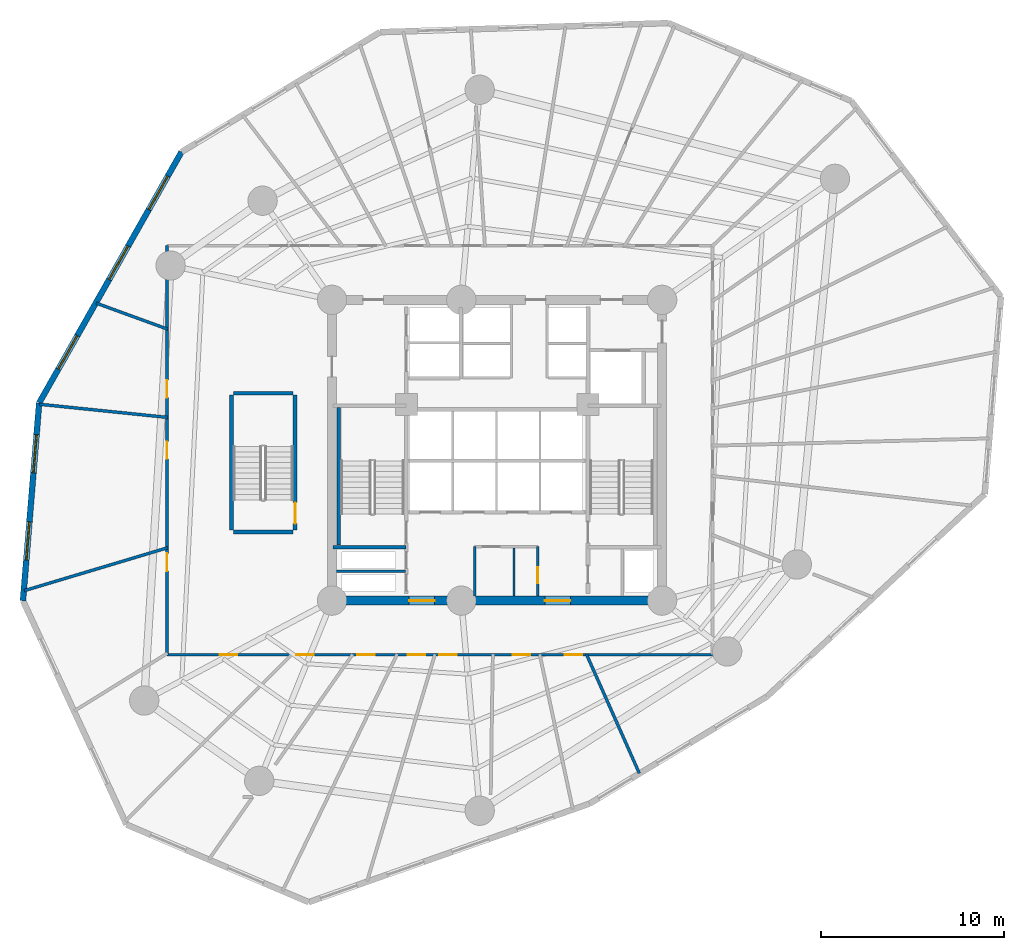
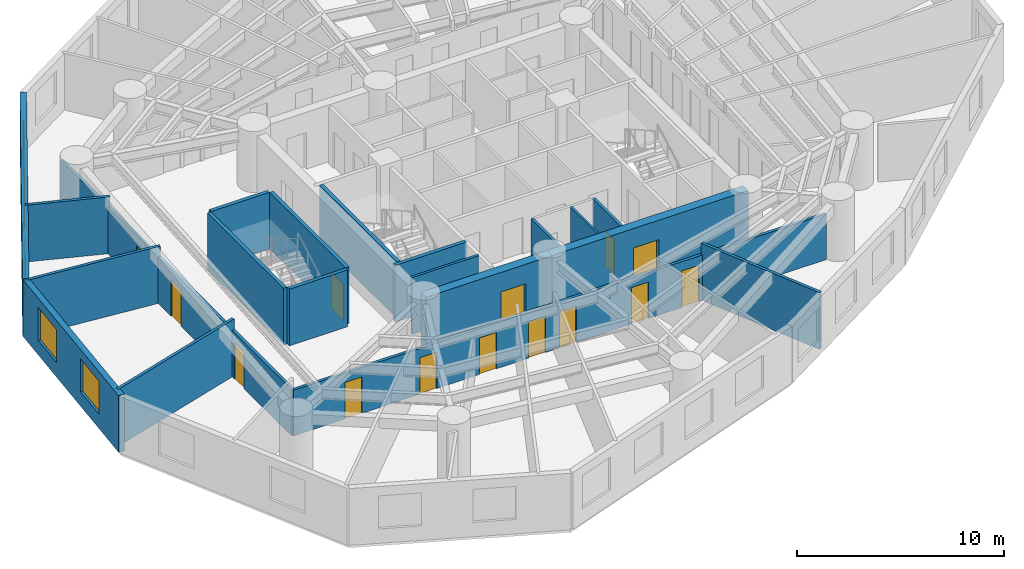
# One storey, part 3 of 8: 20 walls, 14 doors, 5 windows, 19 openings.
"""IFC4 building model written with IfcOpenShell, lengths in metres."""

from ifc_helpers import new_model, si_unit, direction, frame, frame_2d, origin, origin_with_axes, place, context, subcontext, project, spatial, rectangle, extrude, source, transform, mapped, material, layer, layer_set, type_object, element, fill, save


model = new_model("IFC4")

# Units and contexts
model_context = context("Model", 3, precision=1e-05, world=origin(), true_north=direction((0.0, 1.0)))
body_context = subcontext(model_context, "Body", "Model", "MODEL_VIEW")
ifc_project = project(units=[si_unit("LENGTHUNIT", "METRE"), si_unit("AREAUNIT", "SQUARE_METRE"), si_unit("VOLUMEUNIT", "CUBIC_METRE"), si_unit("PLANEANGLEUNIT", "RADIAN"), si_unit("MASSUNIT", "GRAM", prefix="KILO")], contexts=[model_context])

# Site, building, storey
site_placement = place(None, origin())
site = spatial("IfcSite", under=ifc_project, at=site_placement, CompositionType="ELEMENT")
building_placement = place(site_placement, origin())
building = spatial("IfcBuilding", under=site, at=building_placement, Name="Karkom Vertical University and Central Library", CompositionType="ELEMENT")
storey_placement = place(building_placement, frame((0.0, 0.0, 33.699951171875)))
storey = spatial("IfcBuildingStorey", under=building, at=storey_placement, Name="L08", CompositionType="ELEMENT", Elevation=33.699951171875)

# Wall, openings, windows
ifc_material_1 = material(Name="Brick-faced precast concrete C45/55", Category="masonry")
ifc_layer_1 = layer(ifc_material_1, 0.320068359375)
ifc_layer_set_1 = layer_set([ifc_layer_1], Name="Brick-faced precast concrete C45/55")
wall_type_1 = type_object("IfcWallType", Name="ENV-WL-BRK-320", PredefinedType="SOLIDWALL", material=ifc_layer_set_1)
wall_1_placement = place(storey_placement, frame((11.29248046875, 42.771240234375, 0.0), z_axis=(0.0, 0.0, 1.0), x_axis=(-0.493295954428, -0.869861541479, 0.0)))
wall_1 = element("IfcWall", 1, at=wall_1_placement, inside=storey, type_object=wall_type_1, Name="Level 08 Brick-Faced Precast Facade Wall 02", PredefinedType="SOLIDWALL", context=body_context, shape_type="SweptSolid", body=[
    extrude(rectangle(XDim=15.736328125, YDim=0.320068359375, at=frame_2d((7.8681640625, 0.0))), origin(), (0.0, 0.0, 1.0), 3.35009765625),
])
opening_1_placement = place(wall_1_placement, frame((1.521484375, 0.0, 0.85009765625)))
opening_1 = element("IfcOpeningElement", 2, at=opening_1_placement, cuts=wall_1, Name="Opening WN-03", PredefinedType="OPENING", context=body_context, shape_type="SweptSolid", body=[
    extrude(rectangle(XDim=2.10009765625, YDim=1.949951171875, at=frame_2d((1.050048828125, 0.97509765625))), frame((0.0, 0.169921875, 0.0), z_axis=(0.0, -1.0, 0.0), x_axis=(1.0, 0.0, 0.0)), (0.0, 0.0, 1.0), 0.340087890625),
])
opening_2_placement = place(wall_1_placement, frame((5.904541015625, 0.0, 0.85009765625)))
opening_2 = element("IfcOpeningElement", 3, at=opening_2_placement, cuts=wall_1, Name="Opening WN-03", PredefinedType="OPENING", context=body_context, shape_type="SweptSolid", body=[
    extrude(rectangle(XDim=2.10009765625, YDim=1.949951171875, at=frame_2d((1.050048828125, 0.97509765625))), frame((0.0, 0.169921875, 0.0), z_axis=(0.0, -1.0, 0.0), x_axis=(1.0, 0.0, 0.0)), (0.0, 0.0, 1.0), 0.340087890625),
])
opening_3_placement = place(wall_1_placement, frame((11.521240234375, 0.0, 0.85009765625)))
opening_3 = element("IfcOpeningElement", 4, at=opening_3_placement, cuts=wall_1, Name="Opening WN-03", PredefinedType="OPENING", context=body_context, shape_type="SweptSolid", body=[
    extrude(rectangle(XDim=2.10009765625, YDim=1.949951171875, at=frame_2d((1.050048828125, 0.97509765625))), frame((0.0, 0.169921875, 0.0), z_axis=(0.0, -1.0, 0.0), x_axis=(1.0, 0.0, 0.0)), (0.0, 0.0, 1.0), 0.340087890625),
])
ifc_material_2 = material(Name="Aluminium thermal-break frame with solar-control IGU", Category="aluminium")
window_type = type_object("IfcWindowType", Name="ENV-WIN-WN-03", PartitioningType="SINGLE_PANEL", PredefinedType="WINDOW", material=ifc_material_2)
shared_shape_1 = source(origin_with_axes(), body_context, "Body", "SweptSolid", [
    extrude(rectangle(XDim=2.10009765625, YDim=1.949951171875, at=frame_2d((1.050048828125, 0.97509765625))), frame((0.0, 0.030029296875, 0.0), z_axis=(0.0, -1.0, 0.0), x_axis=(1.0, 0.0, 0.0)), (0.0, 0.0, 1.0), 0.06005859375),
])
window_1_placement = place(opening_1_placement, origin())
window_1 = element("IfcWindow", 5, at=window_1_placement, inside=storey, type_object=window_type, Name="Level 08 Punched Window 2.1", OverallHeight=1.949951171875, OverallWidth=2.10009765625, PartitioningType="SINGLE_PANEL", PredefinedType="WINDOW", context=body_context, shape_type="MappedRepresentation", body=[
    mapped(shared_shape_1, transform((0.0, 0.0, 0.0), scale=1.0)),
])
fill(opening_1, window_1)
window_2_placement = place(opening_2_placement, origin())
window_2 = element("IfcWindow", 6, at=window_2_placement, inside=storey, type_object=window_type, Name="Level 08 Punched Window 2.2", OverallHeight=1.949951171875, OverallWidth=2.10009765625, PartitioningType="SINGLE_PANEL", PredefinedType="WINDOW", context=body_context, shape_type="MappedRepresentation", body=[
    mapped(shared_shape_1, transform((0.0, 0.0, 0.0), scale=1.0)),
])
fill(opening_2, window_2)
window_3_placement = place(opening_3_placement, origin())
window_3 = element("IfcWindow", 7, at=window_3_placement, inside=storey, type_object=window_type, Name="Level 08 Punched Window 2.3", OverallHeight=1.949951171875, OverallWidth=2.10009765625, PartitioningType="SINGLE_PANEL", PredefinedType="WINDOW", context=body_context, shape_type="MappedRepresentation", body=[
    mapped(shared_shape_1, transform((0.0, 0.0, 0.0), scale=1.0)),
])
fill(opening_3, window_3)

wall_2_placement = place(storey_placement, frame((3.52978515625, 29.082763671875, 0.0), z_axis=(0.0, 0.0, 1.0), x_axis=(-0.0816572616, -0.996660469582, 0.0)))
wall_2 = element("IfcWall", 8, at=wall_2_placement, inside=storey, type_object=wall_type_1, Name="Level 08 Brick-Faced Precast Facade Wall 03", PredefinedType="SOLIDWALL", context=body_context, shape_type="SweptSolid", body=[
    extrude(rectangle(XDim=10.8291015625, YDim=0.320068359375, at=frame_2d((5.41455078125, 0.0))), origin(), (0.0, 0.0, 1.0), 3.35009765625),
])
opening_4_placement = place(wall_2_placement, frame((1.72998046875, 0.0, 0.85009765625)))
opening_4 = element("IfcOpeningElement", 9, at=opening_4_placement, cuts=wall_2, Name="Opening WN-03", PredefinedType="OPENING", context=body_context, shape_type="SweptSolid", body=[
    extrude(rectangle(XDim=2.10009765625, YDim=1.949951171875, at=frame_2d((1.050048828125, 0.97509765625))), frame((0.0, 0.169921875, 0.0), z_axis=(0.0, -1.0, 0.0), x_axis=(1.0, 0.0, 0.0)), (0.0, 0.0, 1.0), 0.340087890625),
])
opening_5_placement = place(wall_2_placement, frame((6.503173828125, 0.0, 0.85009765625)))
opening_5 = element("IfcOpeningElement", 10, at=opening_5_placement, cuts=wall_2, Name="Opening WN-03", PredefinedType="OPENING", context=body_context, shape_type="SweptSolid", body=[
    extrude(rectangle(XDim=2.10009765625, YDim=1.949951171875, at=frame_2d((1.050048828125, 0.97509765625))), frame((0.0, 0.169921875, 0.0), z_axis=(0.0, -1.0, 0.0), x_axis=(1.0, 0.0, 0.0)), (0.0, 0.0, 1.0), 0.340087890625),
])
window_4_placement = place(opening_4_placement, origin())
window_4 = element("IfcWindow", 11, at=window_4_placement, inside=storey, type_object=window_type, Name="Level 08 Punched Window 3.1", OverallHeight=1.949951171875, OverallWidth=2.10009765625, PartitioningType="SINGLE_PANEL", PredefinedType="WINDOW", context=body_context, shape_type="MappedRepresentation", body=[
    mapped(shared_shape_1, transform((0.0, 0.0, 0.0), scale=1.0)),
])
fill(opening_4, window_4)
window_5_placement = place(opening_5_placement, origin())
window_5 = element("IfcWindow", 12, at=window_5_placement, inside=storey, type_object=window_type, Name="Level 08 Punched Window 3.2", OverallHeight=1.949951171875, OverallWidth=2.10009765625, PartitioningType="SINGLE_PANEL", PredefinedType="WINDOW", context=body_context, shape_type="MappedRepresentation", body=[
    mapped(shared_shape_1, transform((0.0, 0.0, 0.0), scale=1.0)),
])
fill(opening_5, window_5)

# Wall, openings, doors
ifc_material_3 = material(Name="Insulated metal-stud drywall 160mm", Category="gypsum")
ifc_layer_2 = layer(ifc_material_3, 0.159912109375)
ifc_layer_set_2 = layer_set([ifc_layer_2], Name="Insulated metal-stud drywall 160mm")
wall_type_2 = type_object("IfcWallType", Name="INT-WL-COR-160", PredefinedType="PARTITIONING", material=ifc_layer_set_2)
wall_3_placement = place(storey_placement, frame((40.25, 15.35009765625, 0.0), z_axis=(0.0, 0.0, 1.0), x_axis=(-1.0, 0.0, 0.0)))
wall_3 = element("IfcWall", 13, at=wall_3_placement, inside=storey, type_object=wall_type_2, Name="Level 08 Interior Partition Wall Level 08-CORW-CW-001", PredefinedType="PARTITIONING", context=body_context, shape_type="SweptSolid", body=[
    extrude(rectangle(XDim=29.75, YDim=0.159912109375, at=frame_2d((14.875, 0.0))), origin(), (0.0, 0.0, 1.0), 2.699951171875),
])
opening_6_placement = place(wall_3_placement, frame((25.92529296875, 0.0, 0.0)))
opening_6 = element("IfcOpeningElement", 14, at=opening_6_placement, cuts=wall_3, Name="Opening D-RM1", PredefinedType="OPENING", context=body_context, shape_type="SweptSolid", body=[
    extrude(rectangle(XDim=0.949951171875, YDim=2.14990234375, at=frame_2d((0.47509765625, 1.074951171875))), frame((0.0, 0.08984375, 0.0), z_axis=(0.0, -1.0, 0.0), x_axis=(1.0, 0.0, 0.0)), (0.0, 0.0, 1.0), 0.179931640625),
])
opening_7_placement = place(wall_3_placement, frame((21.74755859375, 0.0, 0.0)))
opening_7 = element("IfcOpeningElement", 15, at=opening_7_placement, cuts=wall_3, Name="Opening D-RM1", PredefinedType="OPENING", context=body_context, shape_type="SweptSolid", body=[
    extrude(rectangle(XDim=0.949951171875, YDim=2.14990234375, at=frame_2d((0.47509765625, 1.074951171875))), frame((0.0, 0.08984375, 0.0), z_axis=(0.0, -1.0, 0.0), x_axis=(1.0, 0.0, 0.0)), (0.0, 0.0, 1.0), 0.179931640625),
])
opening_8_placement = place(wall_3_placement, frame((18.422607421875, 0.0, 0.0)))
opening_8 = element("IfcOpeningElement", 16, at=opening_8_placement, cuts=wall_3, Name="Opening D-RM1", PredefinedType="OPENING", context=body_context, shape_type="SweptSolid", body=[
    extrude(rectangle(XDim=0.949951171875, YDim=2.14990234375, at=frame_2d((0.47509765625, 1.074951171875))), frame((0.0, 0.08984375, 0.0), z_axis=(0.0, -1.0, 0.0), x_axis=(1.0, 0.0, 0.0)), (0.0, 0.0, 1.0), 0.179931640625),
])
opening_9_placement = place(wall_3_placement, frame((15.67041015625, 0.0, 0.0)))
opening_9 = element("IfcOpeningElement", 17, at=opening_9_placement, cuts=wall_3, Name="Opening D-RM1", PredefinedType="OPENING", context=body_context, shape_type="SweptSolid", body=[
    extrude(rectangle(XDim=0.949951171875, YDim=2.14990234375, at=frame_2d((0.47509765625, 1.074951171875))), frame((0.0, 0.08984375, 0.0), z_axis=(0.0, -1.0, 0.0), x_axis=(1.0, 0.0, 0.0)), (0.0, 0.0, 1.0), 0.179931640625),
])
opening_10_placement = place(wall_3_placement, frame((13.9599609375, 0.0, 0.0)))
opening_10 = element("IfcOpeningElement", 18, at=opening_10_placement, cuts=wall_3, Name="Opening D-RM1", PredefinedType="OPENING", context=body_context, shape_type="SweptSolid", body=[
    extrude(rectangle(XDim=0.949951171875, YDim=2.14990234375, at=frame_2d((0.47509765625, 1.074951171875))), frame((0.0, 0.08984375, 0.0), z_axis=(0.0, -1.0, 0.0), x_axis=(1.0, 0.0, 0.0)), (0.0, 0.0, 1.0), 0.179931640625),
])
opening_11_placement = place(wall_3_placement, frame((9.9375, 0.0, 0.0)))
opening_11 = element("IfcOpeningElement", 19, at=opening_11_placement, cuts=wall_3, Name="Opening D-RM1", PredefinedType="OPENING", context=body_context, shape_type="SweptSolid", body=[
    extrude(rectangle(XDim=0.949951171875, YDim=2.14990234375, at=frame_2d((0.47509765625, 1.074951171875))), frame((0.0, 0.08984375, 0.0), z_axis=(0.0, -1.0, 0.0), x_axis=(1.0, 0.0, 0.0)), (0.0, 0.0, 1.0), 0.179931640625),
])
opening_12_placement = place(wall_3_placement, frame((7.1025390625, 0.0, 0.0)))
opening_12 = element("IfcOpeningElement", 20, at=opening_12_placement, cuts=wall_3, Name="Opening D-RM1", PredefinedType="OPENING", context=body_context, shape_type="SweptSolid", body=[
    extrude(rectangle(XDim=0.949951171875, YDim=2.14990234375, at=frame_2d((0.47509765625, 1.074951171875))), frame((0.0, 0.08984375, 0.0), z_axis=(0.0, -1.0, 0.0), x_axis=(1.0, 0.0, 0.0)), (0.0, 0.0, 1.0), 0.179931640625),
])
ifc_material_4 = material(Name="Solid-core oak veneer door", Category="wood")
door_type_1 = type_object("IfcDoorType", Name="INT-DR-RM1", OperationType="NOTDEFINED", PredefinedType="DOOR", material=ifc_material_4)
shared_shape_2 = source(origin_with_axes(), body_context, "Body", "SweptSolid", [
    extrude(rectangle(XDim=0.949951171875, YDim=2.14990234375, at=frame_2d((0.47509765625, 1.074951171875))), frame((0.0, 0.02490234375, 0.0), z_axis=(0.0, -1.0, 0.0), x_axis=(1.0, 0.0, 0.0)), (0.0, 0.0, 1.0), 0.050048828125),
])
door_1_placement = place(opening_6_placement, origin())
door_1 = element("IfcDoor", 21, at=door_1_placement, inside=storey, type_object=door_type_1, Name="Level 08 Room Entry Door 020", OperationType="SINGLE_SWING_RIGHT", OverallHeight=2.14990234375, OverallWidth=0.949951171875, PredefinedType="DOOR", context=body_context, shape_type="MappedRepresentation", body=[
    mapped(shared_shape_2, transform((0.0, 0.0, 0.0), scale=1.0)),
])
fill(opening_6, door_1)
door_2_placement = place(opening_7_placement, origin())
door_2 = element("IfcDoor", 22, at=door_2_placement, inside=storey, type_object=door_type_1, Name="Level 08 Room Entry Door 030", OperationType="SINGLE_SWING_LEFT", OverallHeight=2.14990234375, OverallWidth=0.949951171875, PredefinedType="DOOR", context=body_context, shape_type="MappedRepresentation", body=[
    mapped(shared_shape_2, transform((0.0, 0.0, 0.0), scale=1.0)),
])
fill(opening_7, door_2)
door_3_placement = place(opening_8_placement, origin())
door_3 = element("IfcDoor", 23, at=door_3_placement, inside=storey, type_object=door_type_1, Name="Level 08 Room Entry Door 040", OperationType="SINGLE_SWING_RIGHT", OverallHeight=2.14990234375, OverallWidth=0.949951171875, PredefinedType="DOOR", context=body_context, shape_type="MappedRepresentation", body=[
    mapped(shared_shape_2, transform((0.0, 0.0, 0.0), scale=1.0)),
])
fill(opening_8, door_3)
door_4_placement = place(opening_9_placement, origin())
door_4 = element("IfcDoor", 24, at=door_4_placement, inside=storey, type_object=door_type_1, Name="Level 08 Room Entry Door 050", OperationType="SINGLE_SWING_LEFT", OverallHeight=2.14990234375, OverallWidth=0.949951171875, PredefinedType="DOOR", context=body_context, shape_type="MappedRepresentation", body=[
    mapped(shared_shape_2, transform((0.0, 0.0, 0.0), scale=1.0)),
])
fill(opening_9, door_4)
door_5_placement = place(opening_10_placement, origin())
door_5 = element("IfcDoor", 25, at=door_5_placement, inside=storey, type_object=door_type_1, Name="Level 08 Room Entry Door 060", OperationType="SINGLE_SWING_RIGHT", OverallHeight=2.14990234375, OverallWidth=0.949951171875, PredefinedType="DOOR", context=body_context, shape_type="MappedRepresentation", body=[
    mapped(shared_shape_2, transform((0.0, 0.0, 0.0), scale=1.0)),
])
fill(opening_10, door_5)
door_6_placement = place(opening_11_placement, origin())
door_6 = element("IfcDoor", 26, at=door_6_placement, inside=storey, type_object=door_type_1, Name="Level 08 Room Entry Door 070", OperationType="SINGLE_SWING_LEFT", OverallHeight=2.14990234375, OverallWidth=0.949951171875, PredefinedType="DOOR", context=body_context, shape_type="MappedRepresentation", body=[
    mapped(shared_shape_2, transform((0.0, 0.0, 0.0), scale=1.0)),
])
fill(opening_11, door_6)
door_7_placement = place(opening_12_placement, origin())
door_7 = element("IfcDoor", 27, at=door_7_placement, inside=storey, type_object=door_type_1, Name="Level 08 Room Entry Door 080", OperationType="SINGLE_SWING_RIGHT", OverallHeight=2.14990234375, OverallWidth=0.949951171875, PredefinedType="DOOR", context=body_context, shape_type="MappedRepresentation", body=[
    mapped(shared_shape_2, transform((0.0, 0.0, 0.0), scale=1.0)),
])
fill(opening_12, door_7)

wall_4_placement = place(storey_placement, frame((10.5, 15.35009765625, 0.0), z_axis=(0.0, 0.0, 1.0), x_axis=(0.0, 1.0, 0.0)))
wall_4 = element("IfcWall", 28, at=wall_4_placement, inside=storey, type_object=wall_type_2, Name="Level 08 Interior Partition Wall Level 08-CORW-CW-002", PredefinedType="PARTITIONING", context=body_context, shape_type="SweptSolid", body=[
    extrude(rectangle(XDim=22.2998046875, YDim=0.159912109375, at=frame_2d((11.14990234375, 0.0))), origin(), (0.0, 0.0, 1.0), 2.75),
])
opening_13_placement = place(wall_4_placement, frame((10.675048828125, 0.0, 0.0)))
opening_13 = element("IfcOpeningElement", 29, at=opening_13_placement, cuts=wall_4, Name="Opening D-RM1", PredefinedType="OPENING", context=body_context, shape_type="SweptSolid", body=[
    extrude(rectangle(XDim=0.949951171875, YDim=2.14990234375, at=frame_2d((0.47509765625, 1.074951171875))), frame((0.0, 0.08984375, 0.0), z_axis=(0.0, -1.0, 0.0), x_axis=(1.0, 0.0, 0.0)), (0.0, 0.0, 1.0), 0.179931640625),
])
opening_14_placement = place(wall_4_placement, frame((4.56005859375, 0.0, 0.0)))
opening_14 = element("IfcOpeningElement", 30, at=opening_14_placement, cuts=wall_4, Name="Opening FD-RM2", PredefinedType="OPENING", context=body_context, shape_type="SweptSolid", body=[
    extrude(rectangle(XDim=0.9599609375, YDim=2.14990234375, at=frame_2d((0.47998046875, 1.074951171875))), frame((0.0, 0.08984375, 0.0), z_axis=(0.0, -1.0, 0.0), x_axis=(1.0, 0.0, 0.0)), (0.0, 0.0, 1.0), 0.179931640625),
])
opening_15_placement = place(wall_4_placement, frame((14.02001953125, 0.0, 0.0)))
opening_15 = element("IfcOpeningElement", 31, at=opening_15_placement, cuts=wall_4, Name="Opening D-RM1", PredefinedType="OPENING", context=body_context, shape_type="SweptSolid", body=[
    extrude(rectangle(XDim=0.949951171875, YDim=2.14990234375, at=frame_2d((0.47509765625, 1.074951171875))), frame((0.0, 0.08984375, 0.0), z_axis=(0.0, -1.0, 0.0), x_axis=(1.0, 0.0, 0.0)), (0.0, 0.0, 1.0), 0.179931640625),
])
ifc_material_5 = material(Name="Fire-rated oak veneer door", Category="wood")
door_type_2 = type_object("IfcDoorType", Name="INT-DR-FRM2", OperationType="NOTDEFINED", PredefinedType="DOOR", material=ifc_material_5)
shared_shape_3 = source(origin_with_axes(), body_context, "Body", "SweptSolid", [
    extrude(rectangle(XDim=0.9599609375, YDim=2.14990234375, at=frame_2d((0.47998046875, 1.074951171875))), frame((0.0, 0.02490234375, 0.0), z_axis=(0.0, -1.0, 0.0), x_axis=(1.0, 0.0, 0.0)), (0.0, 0.0, 1.0), 0.050048828125),
])
door_8_placement = place(opening_14_placement, origin())
door_8 = element("IfcDoor", 32, at=door_8_placement, inside=storey, type_object=door_type_2, Name="Level 08 Room Entry Door 010", OperationType="SINGLE_SWING_LEFT", OverallHeight=2.14990234375, OverallWidth=0.9599609375, PredefinedType="DOOR", context=body_context, shape_type="MappedRepresentation", body=[
    mapped(shared_shape_3, transform((0.0, 0.0, 0.0), scale=1.0)),
])
fill(opening_14, door_8)
door_9_placement = place(opening_13_placement, origin())
door_9 = element("IfcDoor", 33, at=door_9_placement, inside=storey, type_object=door_type_1, Name="Level 08 Room Entry Door 000", OperationType="SINGLE_SWING_RIGHT", OverallHeight=2.14990234375, OverallWidth=0.949951171875, PredefinedType="DOOR", context=body_context, shape_type="MappedRepresentation", body=[
    mapped(shared_shape_2, transform((0.0, 0.0, 0.0), scale=1.0)),
])
fill(opening_13, door_9)
door_10_placement = place(opening_15_placement, origin())
door_10 = element("IfcDoor", 34, at=door_10_placement, inside=storey, type_object=door_type_1, Name="Level 08 Room Entry Door 280", OperationType="SINGLE_SWING_RIGHT", OverallHeight=2.14990234375, OverallWidth=0.949951171875, PredefinedType="DOOR", context=body_context, shape_type="MappedRepresentation", body=[
    mapped(shared_shape_2, transform((0.0, 0.0, 0.0), scale=1.0)),
])
fill(opening_15, door_10)

# Walls
wall_5_placement = place(storey_placement, frame((10.543212890625, 21.18505859375, 0.0), z_axis=(0.0, 0.0, 1.0), x_axis=(-0.957965231721, -0.286884323053, 0.0)))
element("IfcWall", 35, at=wall_5_placement, inside=storey, type_object=wall_type_2, Name="Level 08 Interior Partition Wall Level 08-PW-001", PredefinedType="PARTITIONING", context=body_context, shape_type="SweptSolid", body=[
    extrude(rectangle(XDim=8.166259765625, YDim=0.159912109375, at=frame_2d((4.0830078125, 0.0))), origin(), (0.0, 0.0, 1.0), 3.35009765625),
])
wall_6_placement = place(storey_placement, frame((33.37255859375, 15.37744140625, 0.0), z_axis=(0.0, 0.0, 1.0), x_axis=(0.40578429947, -0.913968873816, 0.0)))
element("IfcWall", 36, at=wall_6_placement, inside=storey, type_object=wall_type_2, Name="Level 08 Interior Partition Wall Level 08-PW-012", PredefinedType="PARTITIONING", context=body_context, shape_type="SweptSolid", body=[
    extrude(rectangle(XDim=7.10009765625, YDim=0.159912109375, at=frame_2d((3.550048828125, 0.0))), origin(), (0.0, 0.0, 1.0), 3.35009765625),
])
wall_7_placement = place(storey_placement, frame((3.548828125, 29.00830078125, 0.0), z_axis=(0.0, 0.0, 1.0), x_axis=(0.994742882888, -0.102404086562, 0.0)))
element("IfcWall", 37, at=wall_7_placement, inside=storey, type_object=wall_type_2, Name="Level 08 Interior Partition Wall Level 08-PW-002", PredefinedType="PARTITIONING", context=body_context, shape_type="SweptSolid", body=[
    extrude(rectangle(XDim=7.032958984375, YDim=0.159912109375, at=frame_2d((3.5166015625, 0.0))), origin(), (0.0, 0.0, 1.0), 3.35009765625),
])
wall_8_placement = place(storey_placement, frame((10.542236328125, 33.10009765625, 0.0), z_axis=(0.0, 0.0, 1.0), x_axis=(-0.939705790412, 0.341983957908, 0.0)))
element("IfcWall", 38, at=wall_8_placement, inside=storey, type_object=wall_type_2, Name="Level 08 Interior Partition Wall Level 08-PW-033", PredefinedType="PARTITIONING", context=body_context, shape_type="SweptSolid", body=[
    extrude(rectangle(XDim=4.14990234375, YDim=0.159912109375, at=frame_2d((2.074951171875, 0.0))), origin(), (0.0, 0.0, 1.0), 3.35009765625),
])
ifc_material_6 = material(Name="Moisture-resistant drywall 120mm", Category="gypsum")
ifc_layer_3 = layer(ifc_material_6, 0.1201171875)
ifc_layer_set_3 = layer_set([ifc_layer_3], Name="Moisture-resistant drywall 120mm")
wall_type_3 = type_object("IfcWallType", Name="INT-WL-INT-120", PredefinedType="PARTITIONING", material=ifc_layer_set_3)
wall_9_placement = place(storey_placement, frame((29.419921875, 18.556884765625, 0.0), z_axis=(0.0, 0.0, 1.0), x_axis=(0.0, 1.0, 0.0)))
element("IfcWall", 39, at=wall_9_placement, inside=storey, type_object=wall_type_3, Name="Level 08 Interior Partition Wall Level 08-CW-K3-DIV", PredefinedType="PARTITIONING", context=body_context, shape_type="SweptSolid", body=[
    extrude(rectangle(XDim=2.611083984375, YDim=0.1201171875, at=frame_2d((1.3056640625, 0.0))), origin(), (0.0, 0.0, 1.0), 3.35009765625),
])
ifc_material_7 = material(Name="Metal-stud gypsum partition 140mm", Category="gypsum")
ifc_layer_4 = layer(ifc_material_7, 0.139892578125)
ifc_layer_set_4 = layer_set([ifc_layer_4], Name="Metal-stud gypsum partition 140mm")
wall_type_4 = type_object("IfcWallType", Name="INT-WL-SUB-140", PredefinedType="PARTITIONING", material=ifc_layer_set_4)
wall_10_placement = place(storey_placement, frame((27.280029296875, 18.550048828125, 0.0), z_axis=(0.0, 0.0, 1.0), x_axis=(0.0, 1.0, 0.0)))
element("IfcWall", 40, at=wall_10_placement, inside=storey, type_object=wall_type_4, Name="Level 08 Interior Partition Wall Level 08-CW-KBAY-W", PredefinedType="PARTITIONING", context=body_context, shape_type="SweptSolid", body=[
    extrude(rectangle(XDim=2.68994140625, YDim=0.139892578125, at=frame_2d((1.344970703125, 0.0))), origin(), (0.0, 0.0, 1.0), 3.35009765625),
])

# Wall, opening, door
wall_11_placement = place(storey_placement, frame((30.719970703125, 18.550048828125, 0.0), z_axis=(0.0, 0.0, 1.0), x_axis=(0.0, 1.0, 0.0)))
wall_11 = element("IfcWall", 41, at=wall_11_placement, inside=storey, type_object=wall_type_4, Name="Level 08 Interior Partition Wall Level 08-CW-KBAY-E", PredefinedType="PARTITIONING", context=body_context, shape_type="SweptSolid", body=[
    extrude(rectangle(XDim=2.68994140625, YDim=0.139892578125, at=frame_2d((1.344970703125, 0.0))), origin(), (0.0, 0.0, 1.0), 3.35009765625),
])
opening_16_placement = place(wall_11_placement, frame((0.699951171875, 0.0, 0.0)))
opening_16 = element("IfcOpeningElement", 42, at=opening_16_placement, cuts=wall_11, Name="Opening D-BATH", PredefinedType="OPENING", context=body_context, shape_type="SweptSolid", body=[
    extrude(rectangle(XDim=0.860107421875, YDim=2.10009765625, at=frame_2d((0.43017578125, 1.050048828125))), frame((0.0, 0.080078125, 0.0), z_axis=(0.0, -1.0, 0.0), x_axis=(1.0, 0.0, 0.0)), (0.0, 0.0, 1.0), 0.159912109375),
])
ifc_material_8 = material(Name="Moisture-resistant oak door", Category="wood")
door_type_3 = type_object("IfcDoorType", Name="INT-DR-BATH", OperationType="NOTDEFINED", PredefinedType="DOOR", material=ifc_material_8)
shared_shape_4 = source(origin_with_axes(), body_context, "Body", "SweptSolid", [
    extrude(rectangle(XDim=0.860107421875, YDim=2.10009765625, at=frame_2d((0.43017578125, 1.050048828125))), frame((0.0, 0.02490234375, 0.0), z_axis=(0.0, -1.0, 0.0), x_axis=(1.0, 0.0, 0.0)), (0.0, 0.0, 1.0), 0.050048828125),
])
door_11_placement = place(opening_16_placement, origin())
door_11 = element("IfcDoor", 43, at=door_11_placement, inside=storey, type_object=door_type_3, Name="Level 08 Janitor Door", OperationType="SINGLE_SWING_LEFT", OverallHeight=2.10009765625, OverallWidth=0.860107421875, PredefinedType="DOOR", context=body_context, shape_type="MappedRepresentation", body=[
    mapped(shared_shape_4, transform((0.0, 0.0, 0.0), scale=1.0)),
])
fill(opening_16, door_11)

# Wall
ifc_layer_5 = layer(ifc_material_7, 0.139892578125)
ifc_layer_set_5 = layer_set([ifc_layer_5], Name="Metal-stud gypsum partition 140mm")
wall_type_5 = type_object("IfcWallType", Name="INT-WL-SUB-140H", PredefinedType="PARTITIONING", material=ifc_layer_set_5)
wall_12_placement = place(storey_placement, frame((19.757080078125, 19.889892578125, 0.0), z_axis=(0.0, 0.0, 1.0), x_axis=(1.0, 0.0, 0.0)))
element("IfcWall", 44, at=wall_12_placement, inside=storey, type_object=wall_type_5, Name="Level 08 Interior Partition Wall Level 08-CW-RIS-W", PredefinedType="PARTITIONING", context=body_context, shape_type="SweptSolid", body=[
    extrude(rectangle(XDim=3.7392578125, YDim=0.139892578125, at=frame_2d((1.86962890625, 0.0))), origin(), (0.0, 0.0, 1.0), 3.35009765625),
])

# Wall, opening, door
ifc_material_9 = material(Name="Concrete C50/60", Category="concrete")
ifc_layer_6 = layer(ifc_material_9, 0.5)
ifc_layer_set_6 = layer_set([ifc_layer_6], Name="Concrete C50/60")
wall_type_6 = type_object("IfcWallType", Name="STR-WL-CW-500", PredefinedType="SHEAR", material=ifc_layer_set_6)
wall_13_placement = place(storey_placement, frame((19.5, 18.300048828125, 0.0), z_axis=(0.0, 0.0, 1.0), x_axis=(1.0, 0.0, 0.0)))
wall_13 = element("IfcWall", 45, at=wall_13_placement, inside=storey, type_object=wall_type_6, Name="Level 08 Central Core Shear Wall SW1", PredefinedType="SHEAR", context=body_context, shape_type="SweptSolid", body=[
    extrude(rectangle(XDim=7.050048828125, YDim=0.5, at=frame_2d((3.52490234375, 0.0))), origin(), (0.0, 0.0, 1.0), 3.35009765625),
])
opening_17_placement = place(wall_13_placement, frame((4.199951171875, 0.0, 0.0)))
opening_17 = element("IfcOpeningElement", 46, at=opening_17_placement, cuts=wall_13, Name="Opening FD-CLB", PredefinedType="OPENING", context=body_context, shape_type="SweptSolid", body=[
    extrude(rectangle(XDim=1.39990234375, YDim=2.199951171875, at=frame_2d((0.699951171875, 1.10009765625))), frame((0.0, 0.260009765625, 0.0), z_axis=(0.0, -1.0, 0.0), x_axis=(1.0, 0.0, 0.0)), (0.0, 0.0, 1.0), 0.52001953125),
])
ifc_material_10 = material(Name="Painted steel fire door", Category="steel")
door_type_4 = type_object("IfcDoorType", Name="INT-DR-CLB", OperationType="DOUBLE_DOOR_SINGLE_SWING", PredefinedType="DOOR", material=ifc_material_10)
shared_shape_5 = source(origin_with_axes(), body_context, "Body", "SweptSolid", [
    extrude(rectangle(XDim=1.39990234375, YDim=2.199951171875, at=frame_2d((0.699951171875, 1.10009765625))), frame((0.0, 0.02490234375, 0.0), z_axis=(0.0, -1.0, 0.0), x_axis=(1.0, 0.0, 0.0)), (0.0, 0.0, 1.0), 0.050048828125),
])
door_12_placement = place(opening_17_placement, origin())
door_12 = element("IfcDoor", 47, at=door_12_placement, inside=storey, type_object=door_type_4, Name="Level 08 South Core Lobby West Exit Door", OperationType="DOUBLE_DOOR_SINGLE_SWING", OverallHeight=2.199951171875, OverallWidth=1.39990234375, PredefinedType="DOOR", context=body_context, shape_type="MappedRepresentation", body=[
    mapped(shared_shape_5, transform((0.0, 0.0, 0.0), scale=1.0)),
])
fill(opening_17, door_12)

wall_14_placement = place(storey_placement, frame((26.550048828125, 18.300048828125, 0.0), z_axis=(0.0, 0.0, 1.0), x_axis=(1.0, 0.0, 0.0)))
wall_14 = element("IfcWall", 48, at=wall_14_placement, inside=storey, type_object=wall_type_6, Name="Level 08 Central Core Shear Wall SW2", PredefinedType="SHEAR", context=body_context, shape_type="SweptSolid", body=[
    extrude(rectangle(XDim=10.949951171875, YDim=0.5, at=frame_2d((5.47509765625, 0.0))), origin(), (0.0, 0.0, 1.0), 3.35009765625),
])
opening_18_placement = place(wall_14_placement, frame((4.550048828125, 0.0, 0.0)))
opening_18 = element("IfcOpeningElement", 49, at=opening_18_placement, cuts=wall_14, Name="Opening FD-CLB", PredefinedType="OPENING", context=body_context, shape_type="SweptSolid", body=[
    extrude(rectangle(XDim=1.39990234375, YDim=2.199951171875, at=frame_2d((0.699951171875, 1.10009765625))), frame((0.0, 0.260009765625, 0.0), z_axis=(0.0, -1.0, 0.0), x_axis=(1.0, 0.0, 0.0)), (0.0, 0.0, 1.0), 0.52001953125),
])
door_13_placement = place(opening_18_placement, origin())
door_13 = element("IfcDoor", 50, at=door_13_placement, inside=storey, type_object=door_type_4, Name="Level 08 South Core Lobby East Exit Door", OperationType="DOUBLE_DOOR_SINGLE_SWING", OverallHeight=2.199951171875, OverallWidth=1.39990234375, PredefinedType="DOOR", context=body_context, shape_type="MappedRepresentation", body=[
    mapped(shared_shape_5, transform((0.0, 0.0, 0.0), scale=1.0)),
])
fill(opening_18, door_13)

# Walls
ifc_material_11 = material(Name="Concrete C45/55", Category="concrete")
ifc_layer_7 = layer(ifc_material_11, 0.199951171875)
ifc_layer_set_7 = layer_set([ifc_layer_7], Name="Concrete C45/55")
wall_type_7 = type_object("IfcWallType", Name="STR-WL-ST-200", PredefinedType="SHEAR", material=ifc_layer_set_7)
wall_15_placement = place(storey_placement, frame((19.875, 21.320068359375, 0.0), z_axis=(0.0, 0.0, 1.0), x_axis=(0.0, 1.0, 0.0)))
element("IfcWall", 51, at=wall_15_placement, inside=storey, type_object=wall_type_7, Name="Level 08 Core Shaft Wall Level 08-CW-ST1-W", PredefinedType="SHEAR", context=body_context, shape_type="SweptSolid", body=[
    extrude(rectangle(XDim=7.5, YDim=0.199951171875, at=frame_2d((3.75, 0.0))), origin(), (0.0, 0.0, 1.0), 3.35009765625),
])
wall_16_placement = place(storey_placement, frame((14.014892578125, 22.14990234375, 0.0), z_axis=(0.0, 0.0, 1.0), x_axis=(0.0, 1.0, 0.0)))
element("IfcWall", 52, at=wall_16_placement, inside=storey, type_object=wall_type_7, Name="Level 08 Core Shaft Wall Level 08-W-ST3-W", PredefinedType="SHEAR", context=body_context, shape_type="SweptSolid", body=[
    extrude(rectangle(XDim=7.35009765625, YDim=0.199951171875, at=frame_2d((3.675048828125, 0.0))), origin(), (0.0, 0.0, 1.0), 3.35009765625),
])

# Wall, opening, door
wall_17_placement = place(storey_placement, frame((17.485107421875, 22.14990234375, 0.0), z_axis=(0.0, 0.0, 1.0), x_axis=(0.0, 1.0, 0.0)))
wall_17 = element("IfcWall", 53, at=wall_17_placement, inside=storey, type_object=wall_type_7, Name="Level 08 Core Shaft Wall Level 08-W-ST3-E", PredefinedType="SHEAR", context=body_context, shape_type="SweptSolid", body=[
    extrude(rectangle(XDim=7.35009765625, YDim=0.199951171875, at=frame_2d((3.675048828125, 0.0))), origin(), (0.0, 0.0, 1.0), 3.35009765625),
])
opening_19_placement = place(wall_17_placement, frame((0.35009765625, 0.0, 0.0)))
opening_19 = element("IfcOpeningElement", 54, at=opening_19_placement, cuts=wall_17, Name="Opening FD-ST1", PredefinedType="OPENING", context=body_context, shape_type="SweptSolid", body=[
    extrude(rectangle(XDim=1.14990234375, YDim=2.14990234375, at=frame_2d((0.574951171875, 1.074951171875))), frame((0.0, 0.10986328125, 0.0), z_axis=(0.0, -1.0, 0.0), x_axis=(1.0, 0.0, 0.0)), (0.0, 0.0, 1.0), 0.219970703125),
])
ifc_material_12 = material(Name="Painted steel acoustic fire door", Category="steel")
door_type_5 = type_object("IfcDoorType", Name="INT-DR-ST1", OperationType="NOTDEFINED", PredefinedType="DOOR", material=ifc_material_12)
shared_shape_6 = source(origin_with_axes(), body_context, "Body", "SweptSolid", [
    extrude(rectangle(XDim=1.14990234375, YDim=2.14990234375, at=frame_2d((0.574951171875, 1.074951171875))), frame((0.0, 0.02490234375, 0.0), z_axis=(0.0, -1.0, 0.0), x_axis=(1.0, 0.0, 0.0)), (0.0, 0.0, 1.0), 0.050048828125),
])
door_14_placement = place(opening_19_placement, origin())
door_14 = element("IfcDoor", 55, at=door_14_placement, inside=storey, type_object=door_type_5, Name="Level 08 Stair ST-3 Fire Door", OperationType="SINGLE_SWING_LEFT", OverallHeight=2.14990234375, OverallWidth=1.14990234375, PredefinedType="DOOR", context=body_context, shape_type="MappedRepresentation", body=[
    mapped(shared_shape_6, transform((0.0, 0.0, 0.0), scale=1.0)),
])
fill(opening_19, door_14)

# Walls
wall_18_placement = place(storey_placement, frame((19.550048828125, 21.215087890625, 0.0), z_axis=(0.0, 0.0, 1.0), x_axis=(1.0, 0.0, 0.0)))
element("IfcWall", 56, at=wall_18_placement, inside=storey, type_object=wall_type_7, Name="Level 08 Core Shaft Wall Level 08-CW-ST1-S", PredefinedType="SHEAR", context=body_context, shape_type="SweptSolid", body=[
    extrude(rectangle(XDim=3.994873046875, YDim=0.199951171875, at=frame_2d((1.99755859375, 0.0))), origin(), (0.0, 0.0, 1.0), 3.35009765625),
])
for number, where, z_axis, x_axis, name in (
    (57, (14.1201171875, 22.044921875, 0.0), (0.0, 0.0, 1.0), (1.0, 0.0, 0.0), "Level 08 Core Shaft Wall Level 08-W-ST3-S"),
    (58, (14.1201171875, 29.60498046875, 0.0), (0.0, 0.0, 1.0), (1.0, 0.0, 0.0), "Level 08 Core Shaft Wall Level 08-W-ST3-N"),
):
    element("IfcWall", number, at=place(storey_placement, frame(where, z_axis=z_axis, x_axis=x_axis)), inside=storey, type_object=wall_type_7, Name=name, PredefinedType="SHEAR", context=body_context, shape_type="SweptSolid", body=[
        extrude(rectangle(XDim=3.259765625, YDim=0.199951171875, at=frame_2d((1.6298828125, 0.0))), origin(), (0.0, 0.0, 1.0), 3.35009765625),
    ])

save(model, "model.ifc")
